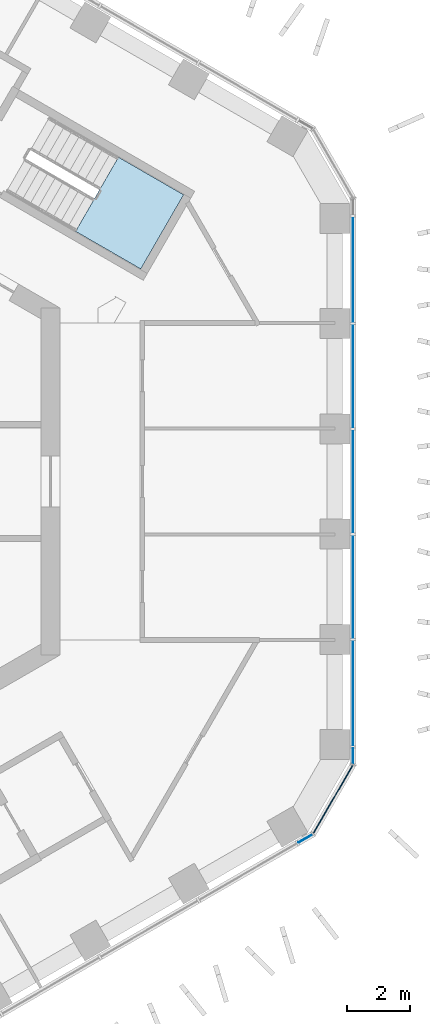
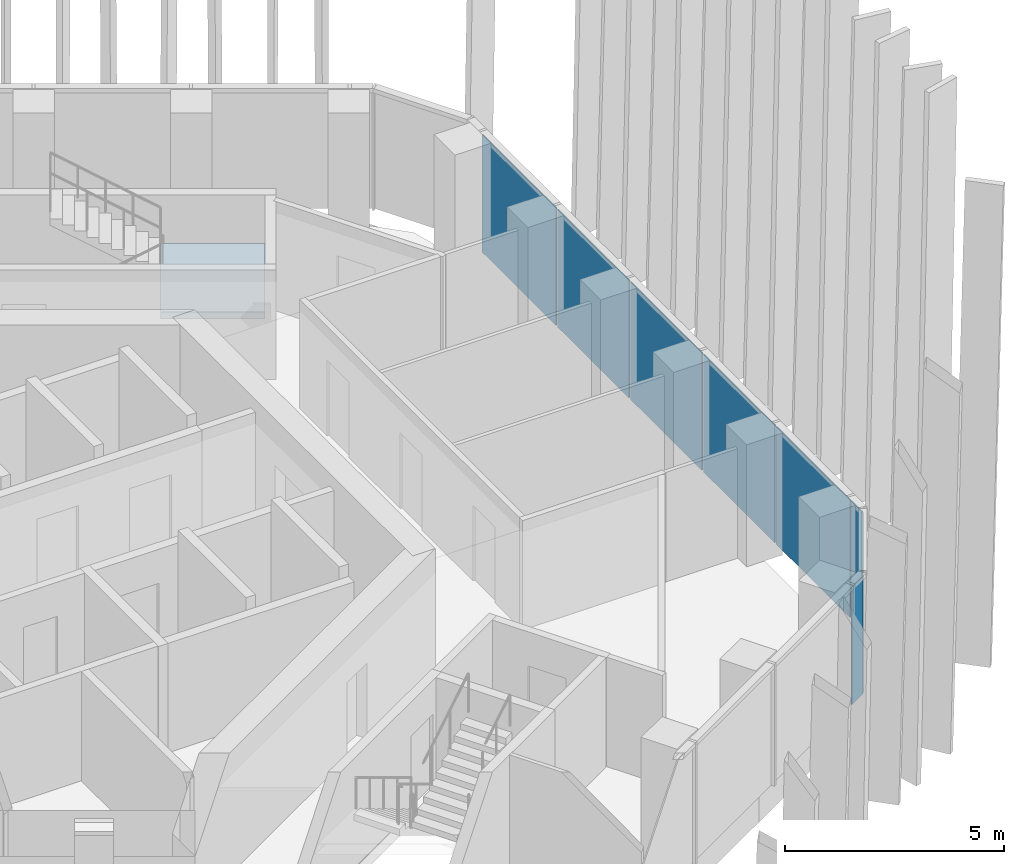
# One storey, part 11 of 21: 8 plates, 1 slab, 3 elements without a shape of their own.
"""IFC4 building model written with IfcOpenShell, lengths in metres."""

from ifc_helpers import new_model, si_unit, direction, frame, origin, origin_2d, place, context, subcontext, project, spatial, polyline, rectangle, outline, extrude, material, layer, layer_set, type_object, element, aggregate, save


model = new_model("IFC4")

# Units and contexts
model_context = context("Model", 3, precision=1e-05, world=origin(), true_north=direction((0.0, 1.0)))
body_context = subcontext(model_context, "Body", "Model", "MODEL_VIEW")
ifc_project = project(units=[si_unit("LENGTHUNIT", "METRE"), si_unit("AREAUNIT", "SQUARE_METRE"), si_unit("VOLUMEUNIT", "CUBIC_METRE"), si_unit("PLANEANGLEUNIT", "RADIAN"), si_unit("MASSUNIT", "GRAM", prefix="KILO")], contexts=[model_context])

# Site, building, storey
site_placement = place(None, origin())
site = spatial("IfcSite", under=ifc_project, at=site_placement, CompositionType="ELEMENT")
building_placement = place(site_placement, origin())
building = spatial("IfcBuilding", under=site, at=building_placement, Name="Ayvan Gate Tower", CompositionType="ELEMENT")
storey_placement = place(building_placement, frame((0.0, 0.0, 173.10009765625)))
storey = spatial("IfcBuildingStorey", under=building, at=storey_placement, Name="L46", CompositionType="ELEMENT", Elevation=173.10009765625)

# Stair, slab
ifc_material_1 = material(Name="Concrete C40/50", Category="concrete")
stair_type = type_object("IfcStairType", Name="ST-EXIT", PredefinedType="HALF_TURN_STAIR", material=ifc_material_1)
stair_placement = place(storey_placement, origin())
stair = element("IfcStair", 1, at=stair_placement, inside=storey, type_object=stair_type, Name="L46 Exit Stair S1", PredefinedType="HALF_TURN_STAIR")
ifc_layer_1 = layer(ifc_material_1, 0.199951171875)
ifc_layer_set_1 = layer_set([ifc_layer_1], Name="Concrete C40/50")
slab_type = type_object("IfcSlabType", Name="SL-LANDING-200", PredefinedType="LANDING", material=ifc_layer_set_1)
slab_placement = place(storey_placement, frame((0.0, 0.0, 1.5)))
slab = element("IfcSlab", 2, at=slab_placement, type_object=slab_type, Name="STS1 landing 1", PredefinedType="LANDING", context=body_context, shape_type="SweptSolid", body=[
    extrude(outline(polyline([(9.988525390625, 7.91064453125), (12.049560546875, 6.720458984375), (13.404541015625, 9.0673828125), (11.343505859375, 10.257568359375), (9.988525390625, 7.91064453125)])), origin(), (0.0, 0.0, 1.0), 0.199951171875),
])
aggregate(stair, [slab])

# Curtain wall, plates
ifc_material_2 = material(Name="Bronze anodised aluminium", Category="aluminium")
ifc_layer_2 = layer(ifc_material_2, 0.199951171875)
ifc_layer_set_2 = layer_set([ifc_layer_2], Name="Bronze anodised aluminium")
curtain_wall_type_1 = type_object("IfcCurtainWallType", Name="Stick curtain wall CW-2", PredefinedType="NOTDEFINED", material=ifc_layer_set_2)
curtain_wall_1_placement = place(storey_placement, origin())
curtain_wall_1 = element("IfcCurtainWall", 3, at=curtain_wall_1_placement, inside=storey, type_object=curtain_wall_type_1, Name="Stick curtain wall CW-2 L46", PredefinedType="NOTDEFINED")
ifc_material_3 = material(Name="Clear low-iron laminated glass", Category="glass")
ifc_layer_3 = layer(ifc_material_3, 0.028076171875)
ifc_layer_set_3 = layer_set([ifc_layer_3], Name="Clear low-iron laminated glass")
plate_type_1 = type_object("IfcPlateType", Name="Stick curtain wall CW-2 glass panel", PredefinedType="CURTAIN_PANEL", material=ifc_layer_set_3)
plate_1_placement = place(storey_placement, frame((18.761474609375, -6.712890625, 0.0), z_axis=(0.0, 0.0, 1.0), x_axis=(0.0, 1.0, 0.0)))
plate_1 = element("IfcPlate", 4, at=plate_1_placement, type_object=plate_type_1, Name="CW-2 glass panel 1", PredefinedType="CURTAIN_PANEL", context=body_context, shape_type="SweptSolid", body=[
    extrude(rectangle(XDim=3.368896484375, YDim=0.028076171875, at=origin_2d()), origin(), (0.0, 0.0, 1.0), 3.280029296875),
])
plate_2_placement = place(storey_placement, frame((18.761474609375, -3.3291015625, 0.0), z_axis=(0.0, 0.0, 1.0), x_axis=(0.0, 1.0, 0.0)))
plate_2 = element("IfcPlate", 5, at=plate_2_placement, type_object=plate_type_1, Name="CW-2 glass panel 2", PredefinedType="CURTAIN_PANEL", context=body_context, shape_type="SweptSolid", body=[
    extrude(rectangle(XDim=3.259033203125, YDim=0.028076171875, at=origin_2d()), origin(), (0.0, 0.0, 1.0), 3.280029296875),
])
plate_3_placement = place(storey_placement, frame((18.761474609375, 0.0, 0.0), z_axis=(0.0, 0.0, 1.0), x_axis=(0.0, 1.0, 0.0)))
plate_3 = element("IfcPlate", 6, at=plate_3_placement, type_object=plate_type_1, Name="CW-2 glass panel 3", PredefinedType="CURTAIN_PANEL", context=body_context, shape_type="SweptSolid", body=[
    extrude(rectangle(XDim=3.259033203125, YDim=0.028076171875, at=origin_2d()), origin(), (0.0, 0.0, 1.0), 3.280029296875),
])
plate_4_placement = place(storey_placement, frame((18.761474609375, 3.3291015625, 0.0), z_axis=(0.0, 0.0, 1.0), x_axis=(0.0, 1.0, 0.0)))
plate_4 = element("IfcPlate", 7, at=plate_4_placement, type_object=plate_type_1, Name="CW-2 glass panel 4", PredefinedType="CURTAIN_PANEL", context=body_context, shape_type="SweptSolid", body=[
    extrude(rectangle(XDim=3.259033203125, YDim=0.028076171875, at=origin_2d()), origin(), (0.0, 0.0, 1.0), 3.280029296875),
])
plate_5_placement = place(storey_placement, frame((18.761474609375, 6.712890625, 0.0), z_axis=(0.0, 0.0, 1.0), x_axis=(0.0, 1.0, 0.0)))
plate_5 = element("IfcPlate", 8, at=plate_5_placement, type_object=plate_type_1, Name="CW-2 glass panel 5", PredefinedType="CURTAIN_PANEL", context=body_context, shape_type="SweptSolid", body=[
    extrude(rectangle(XDim=3.368896484375, YDim=0.028076171875, at=origin_2d()), origin(), (0.0, 0.0, 1.0), 3.280029296875),
])
aggregate(curtain_wall_1, [plate_1, plate_2, plate_3, plate_4, plate_5])

ifc_layer_4 = layer(ifc_material_2, 0.199951171875)
ifc_layer_set_4 = layer_set([ifc_layer_4], Name="Bronze anodised aluminium")
curtain_wall_type_2 = type_object("IfcCurtainWallType", Name="Stick curtain wall CW-6", PredefinedType="NOTDEFINED", material=ifc_layer_set_4)
curtain_wall_2_placement = place(storey_placement, origin())
curtain_wall_2 = element("IfcCurtainWall", 9, at=curtain_wall_2_placement, inside=storey, type_object=curtain_wall_type_2, Name="Stick curtain wall CW-6 L46", PredefinedType="NOTDEFINED")
ifc_layer_5 = layer(ifc_material_3, 0.028076171875)
ifc_layer_set_5 = layer_set([ifc_layer_5], Name="Clear low-iron laminated glass")
plate_type_2 = type_object("IfcPlateType", Name="Stick curtain wall CW-6 glass panel", PredefinedType="CURTAIN_PANEL", material=ifc_layer_set_5)
plate_6_placement = place(storey_placement, frame((17.256103515625, -11.2900390625, 0.0), z_axis=(0.0, 0.0, 1.0), x_axis=(0.866025403784, 0.5, 0.0)))
plate_6 = element("IfcPlate", 10, at=plate_6_placement, type_object=plate_type_2, Name="CW-6 glass panel 1", PredefinedType="CURTAIN_PANEL", context=body_context, shape_type="SweptSolid", body=[
    extrude(rectangle(XDim=0.5, YDim=0.028076171875, at=origin_2d()), origin(), (0.0, 0.0, 1.0), 3.280029296875),
])
plate_7_placement = place(storey_placement, frame((18.1279296875, -10.054931640625, 0.0), z_axis=(0.0, 0.0, 1.0), x_axis=(0.5, 0.866025403784, 0.0)))
plate_7 = element("IfcPlate", 11, at=plate_7_placement, type_object=plate_type_2, Name="CW-6 glass panel 2", PredefinedType="CURTAIN_PANEL", context=body_context, shape_type="SweptSolid", body=[
    extrude(rectangle(XDim=2.484619140625, YDim=0.028076171875, at=origin_2d()), origin(), (0.0, 0.0, 1.0), 3.280029296875),
])
plate_8_placement = place(storey_placement, frame((18.761474609375, -8.682373046875, 0.0), z_axis=(0.0, 0.0, 1.0), x_axis=(0.0, 1.0, 0.0)))
plate_8 = element("IfcPlate", 12, at=plate_8_placement, type_object=plate_type_2, Name="CW-6 glass panel 3", PredefinedType="CURTAIN_PANEL", context=body_context, shape_type="SweptSolid", body=[
    extrude(rectangle(XDim=0.5, YDim=0.028076171875, at=origin_2d()), origin(), (0.0, 0.0, 1.0), 3.280029296875),
])
aggregate(curtain_wall_2, [plate_6, plate_7, plate_8])

save(model, "model.ifc")
